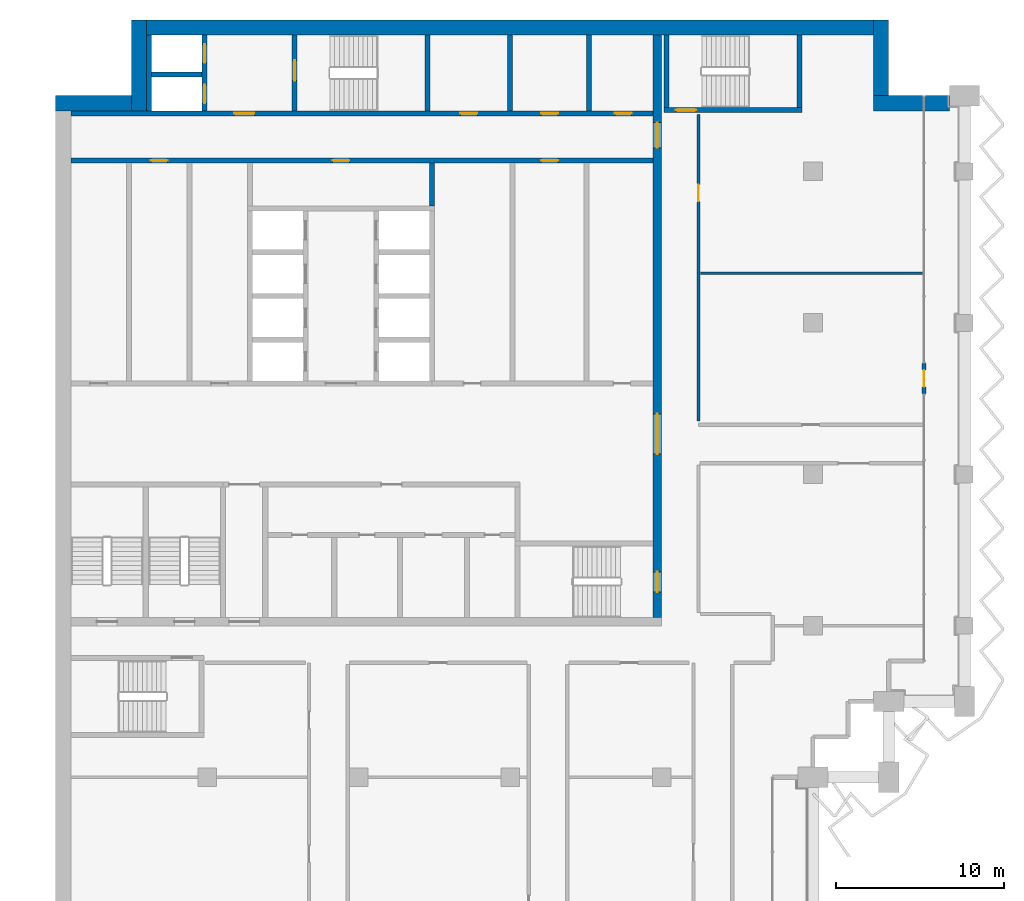
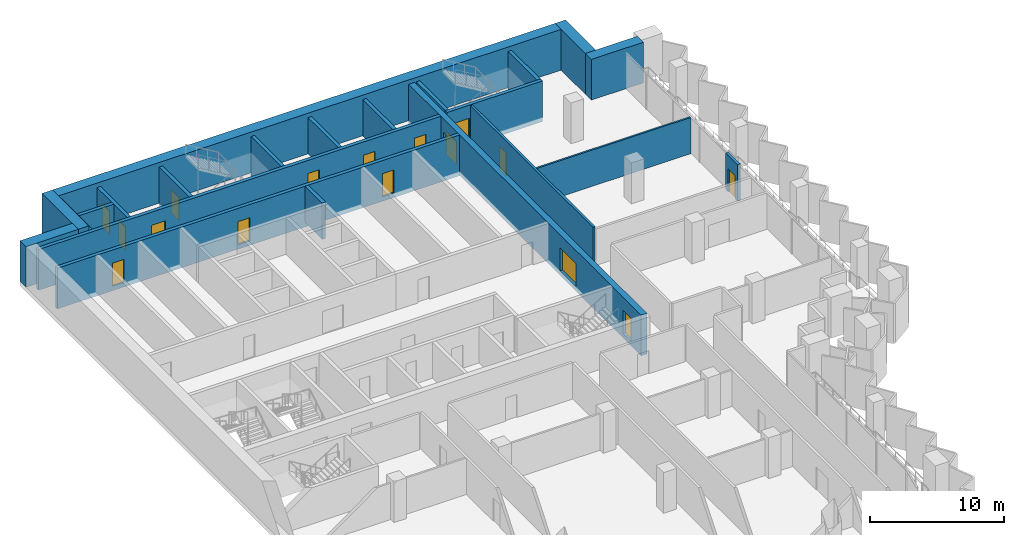
# One storey, part 12 of 19: 22 walls, 16 doors, 16 openings.
"""IFC4 building model written with IfcOpenShell, lengths in metres."""

from ifc_helpers import new_model, si_unit, direction, frame, frame_2d, origin, place, context, subcontext, project, spatial, rectangle, extrude, material, layer, layer_set, type_object, element, fill, save


model = new_model("IFC4")

# Units and contexts
model_context = context("Model", 3, precision=1e-05, world=origin(), true_north=direction((0.0, 1.0)))
body_context = subcontext(model_context, "Body", "Model", "MODEL_VIEW")
ifc_project = project(units=[si_unit("LENGTHUNIT", "METRE"), si_unit("AREAUNIT", "SQUARE_METRE"), si_unit("VOLUMEUNIT", "CUBIC_METRE"), si_unit("PLANEANGLEUNIT", "RADIAN"), si_unit("MASSUNIT", "GRAM", prefix="KILO")], contexts=[model_context])

# Site, building, storey
site_placement = place(None, origin())
site = spatial("IfcSite", under=ifc_project, at=site_placement, CompositionType="ELEMENT")
building_placement = place(site_placement, origin())
building = spatial("IfcBuilding", under=site, at=building_placement, Name="Hunhe Ridgeline Campus", CompositionType="ELEMENT")
storey_placement = place(building_placement, frame((0.0, 0.0, 216.10009765625)))
storey = spatial("IfcBuildingStorey", under=building, at=storey_placement, Name="L55", CompositionType="ELEMENT", Elevation=216.10009765625)

# Walls
ifc_material_1 = material(Name="Masonry concrete blockwork", Category="masonry")
ifc_layer_1 = layer(ifc_material_1, 0.300048828125)
ifc_layer_set_1 = layer_set([ifc_layer_1], Name="Core room partition 300 concrete block")
wall_type_1 = type_object("IfcWallType", Name="Core room partition 300 concrete block", PredefinedType="PARTITIONING", material=ifc_layer_set_1)
wall_1_placement = place(storey_placement, frame((22.35009765625, 87.949951171875, 0.0), z_axis=(0.0, 0.0, 1.0), x_axis=(0.0, 1.0, 0.0)))
element("IfcWall", 1, at=wall_1_placement, inside=storey, type_object=wall_type_1, Name="L55 core partition 44", PredefinedType="PARTITIONING", context=body_context, shape_type="SweptSolid", body=[
    extrude(rectangle(XDim=2.550048828125, YDim=0.300048828125, at=frame_2d((1.27490234375, 0.0))), origin(), (0.0, 0.0, 1.0), 3.2998046875),
])
for number, where, z_axis, x_axis, name in (
    (2, (27.0, 93.60009765625, 0.0), (0.0, 0.0, 1.0), (0.0, 1.0, 0.0), "L55 core partition 47"),
    (3, (31.699951171875, 93.60009765625, 0.0), (0.0, 0.0, 1.0), (0.0, 1.0, 0.0), "L55 core partition 52"),
):
    element("IfcWall", number, at=place(storey_placement, frame(where, z_axis=z_axis, x_axis=x_axis)), inside=storey, type_object=wall_type_1, Name=name, PredefinedType="PARTITIONING", context=body_context, shape_type="SweptSolid", body=[
        extrude(rectangle(XDim=4.5, YDim=0.300048828125, at=frame_2d((2.25, 0.0))), origin(), (0.0, 0.0, 1.0), 3.2998046875),
    ])

# Wall, openings, doors
ifc_material_2 = material(Name="Concrete C60", Category="concrete")
ifc_layer_2 = layer(ifc_material_2, 0.5)
ifc_layer_set_2 = layer_set([ifc_layer_2], Name="Core wall 500 reinforced concrete C60")
wall_type_2 = type_object("IfcWallType", Name="Core wall 500 reinforced concrete C60", PredefinedType="SOLIDWALL", material=ifc_layer_set_2)
wall_2_placement = place(storey_placement, frame((35.75, 63.5, -0.400146484375), z_axis=(0.0, 0.0, 1.0), x_axis=(0.0, 1.0, 0.0)))
wall_2 = element("IfcWall", 4, at=wall_2_placement, inside=storey, type_object=wall_type_2, Name="L55 core wall 53", PredefinedType="SOLIDWALL", context=body_context, shape_type="SweptSolid", body=[
    extrude(rectangle(XDim=34.60009765625, YDim=0.5, at=frame_2d((17.300048828125, 0.0))), origin(), (0.0, 0.0, 1.0), 3.699951171875),
])
opening_1_placement = place(wall_2_placement, frame((9.699951171875, 0.0, 0.39990234375)))
opening_1 = element("IfcOpeningElement", 5, at=opening_1_placement, cuts=wall_2, Name="Opening CD4", PredefinedType="OPENING", context=body_context, shape_type="SweptSolid", body=[
    extrude(rectangle(XDim=2.39990234375, YDim=2.10009765625, at=frame_2d((1.199951171875, 1.050048828125))), frame((0.0, 0.25, 0.0), z_axis=(0.0, -1.0, 0.0), x_axis=(1.0, 0.0, 0.0)), (0.0, 0.0, 1.0), 0.5),
])
opening_2_placement = place(wall_2_placement, frame((27.89990234375, 0.0, 0.39990234375)))
opening_2 = element("IfcOpeningElement", 6, at=opening_2_placement, cuts=wall_2, Name="Opening CD5", PredefinedType="OPENING", context=body_context, shape_type="SweptSolid", body=[
    extrude(rectangle(XDim=1.5, YDim=2.10009765625, at=frame_2d((0.75, 1.050048828125))), frame((0.0, 0.25, 0.0), z_axis=(0.0, -1.0, 0.0), x_axis=(1.0, 0.0, 0.0)), (0.0, 0.0, 1.0), 0.5),
])
opening_3_placement = place(wall_2_placement, frame((1.5, 0.0, 0.39990234375)))
opening_3 = element("IfcOpeningElement", 7, at=opening_3_placement, cuts=wall_2, Name="Opening CD15", PredefinedType="OPENING", context=body_context, shape_type="SweptSolid", body=[
    extrude(rectangle(XDim=1.199951171875, YDim=2.10009765625, at=frame_2d((0.60009765625, 1.050048828125))), frame((0.0, 0.25, 0.0), z_axis=(0.0, -1.0, 0.0), x_axis=(1.0, 0.0, 0.0)), (0.0, 0.0, 1.0), 0.5),
])
ifc_material_3 = material(Name="Anodised aluminium and glass", Category="aluminium")
door_type_1 = type_object("IfcDoorType", Name="Glazed double door 2400x2100", OperationType="DOUBLE_DOOR_SINGLE_SWING", PredefinedType="DOOR", material=ifc_material_3)
door_1_placement = place(opening_1_placement, frame((2.39990234375, 0.0, 0.0), z_axis=(0.0, 0.0, 1.0), x_axis=(-1.0, 0.0, 0.0)))
door_1 = element("IfcDoor", 8, at=door_1_placement, inside=storey, type_object=door_type_1, Name="L55 door HALL-FLOOR", OperationType="DOUBLE_DOOR_SINGLE_SWING", OverallHeight=2.10009765625, OverallWidth=2.39990234375, PredefinedType="DOOR", context=body_context, shape_type="SweptSolid", body=[
    extrude(rectangle(XDim=2.39990234375, YDim=2.10009765625, at=frame_2d((1.199951171875, 1.050048828125))), frame((0.0, 0.02490234375, 0.0), z_axis=(0.0, -1.0, 0.0), x_axis=(1.0, 0.0, 0.0)), (0.0, 0.0, 1.0), 0.050048828125),
])
fill(opening_1, door_1)
ifc_material_4 = material(Name="Hollow metal fire door leaf")
door_type_2 = type_object("IfcDoorType", Name="Stair door 1200x2100 FD60", OperationType="SINGLE_SWING_LEFT", PredefinedType="DOOR", material=ifc_material_4)
door_2_placement = place(opening_3_placement, frame((1.199951171875, 0.0, 0.0), z_axis=(0.0, 0.0, 1.0), x_axis=(-1.0, 0.0, 0.0)))
door_2 = element("IfcDoor", 9, at=door_2_placement, inside=storey, type_object=door_type_2, Name="L55 door S2-FLOOR", OperationType="SINGLE_SWING_LEFT", OverallHeight=2.10009765625, OverallWidth=1.199951171875, PredefinedType="DOOR", context=body_context, shape_type="SweptSolid", body=[
    extrude(rectangle(XDim=1.199951171875, YDim=2.10009765625, at=frame_2d((0.60009765625, 1.050048828125))), frame((0.0, 0.02490234375, 0.0), z_axis=(0.0, -1.0, 0.0), x_axis=(1.0, 0.0, 0.0)), (0.0, 0.0, 1.0), 0.050048828125),
])
fill(opening_3, door_2)
ifc_material_5 = material(Name="Solid core timber door leaf", Category="wood")
door_type_3 = type_object("IfcDoorType", Name="Timber door 1500x2100", OperationType="SINGLE_SWING_LEFT", PredefinedType="DOOR", material=ifc_material_5)
door_3_placement = place(opening_2_placement, frame((1.5, 0.0, 0.0), z_axis=(0.0, 0.0, 1.0), x_axis=(-1.0, 0.0, 0.0)))
door_3 = element("IfcDoor", 10, at=door_3_placement, inside=storey, type_object=door_type_3, Name="L55 door C1-FLOOR", OperationType="SINGLE_SWING_LEFT", OverallHeight=2.10009765625, OverallWidth=1.5, PredefinedType="DOOR", context=body_context, shape_type="SweptSolid", body=[
    extrude(rectangle(XDim=1.5, YDim=2.10009765625, at=frame_2d((0.75, 1.050048828125))), frame((0.0, 0.02490234375, 0.0), z_axis=(0.0, -1.0, 0.0), x_axis=(1.0, 0.0, 0.0)), (0.0, 0.0, 1.0), 0.050048828125),
])
fill(opening_2, door_3)

# Wall, opening, door
ifc_material_6 = material(Name="Gypsum board partition")
ifc_layer_3 = layer(ifc_material_6, 0.199951171875)
ifc_layer_set_3 = layer_set([ifc_layer_3], Name="Corridor partition 200 gypsum board on steel studs")
wall_type_3 = type_object("IfcWallType", Name="Corridor partition 200 gypsum board on steel studs", PredefinedType="PARTITIONING", material=ifc_layer_set_3)
wall_3_placement = place(storey_placement, frame((38.199951171875, 93.39599609375, 0.0), z_axis=(0.0, 0.0, 1.0), x_axis=(0.0, -1.0, 0.0)))
wall_3 = element("IfcWall", 11, at=wall_3_placement, inside=storey, type_object=wall_type_3, Name="F-L55-wall-048", PredefinedType="PARTITIONING", context=body_context, shape_type="SweptSolid", body=[
    extrude(rectangle(XDim=18.216552734375, YDim=0.199951171875, at=frame_2d((9.1083984375, 0.0))), origin(), (0.0, 0.0, 1.0), 3.2998046875),
])
opening_4_placement = place(wall_3_placement, frame((4.1806640625, 0.0, 0.0)))
opening_4 = element("IfcOpeningElement", 12, at=opening_4_placement, cuts=wall_3, Name="Opening RD1-020", PredefinedType="OPENING", context=body_context, shape_type="SweptSolid", body=[
    extrude(rectangle(XDim=1.0, YDim=2.10009765625, at=frame_2d((0.5, 1.050048828125))), frame((0.0, 0.10009765625, 0.0), z_axis=(0.0, -1.0, 0.0), x_axis=(1.0, 0.0, 0.0)), (0.0, 0.0, 1.0), 0.199951171875),
])
ifc_material_7 = material(Name="Timber door leaf", Category="wood")
door_type_4 = type_object("IfcDoorType", Name="Single fire door 1000x2100 timber FD60", OperationType="NOTDEFINED", PredefinedType="DOOR", material=ifc_material_7)
door_4_placement = place(opening_4_placement, origin())
door_4 = element("IfcDoor", 13, at=door_4_placement, inside=storey, type_object=door_type_4, Name="F-L55-door-020", OperationType="SINGLE_SWING_RIGHT", OverallHeight=2.10009765625, OverallWidth=1.0, PredefinedType="DOOR", context=body_context, shape_type="SweptSolid", body=[
    extrude(rectangle(XDim=1.0, YDim=2.10009765625, at=frame_2d((0.5, 1.050048828125))), frame((0.0, 0.02490234375, 0.0), z_axis=(0.0, -1.0, 0.0), x_axis=(1.0, 0.0, 0.0)), (0.0, 0.0, 1.0), 0.050048828125),
])
fill(opening_4, door_4)

# Wall, openings, doors
ifc_layer_4 = layer(ifc_material_2, 0.300048828125)
ifc_layer_set_4 = layer_set([ifc_layer_4], Name="Lobby wall 300 reinforced concrete C60")
wall_type_4 = type_object("IfcWallType", Name="Lobby wall 300 reinforced concrete C60", PredefinedType="SOLIDWALL", material=ifc_layer_set_4)
wall_4_placement = place(storey_placement, frame((0.89990234375, 90.64990234375, -0.400146484375), z_axis=(0.0, 0.0, 1.0), x_axis=(1.0, 0.0, 0.0)))
wall_4 = element("IfcWall", 14, at=wall_4_placement, inside=storey, type_object=wall_type_4, Name="L55 core wall 21", PredefinedType="SOLIDWALL", context=body_context, shape_type="SweptSolid", body=[
    extrude(rectangle(XDim=34.60009765625, YDim=0.300048828125, at=frame_2d((17.300048828125, 0.0))), origin(), (0.0, 0.0, 1.0), 3.699951171875),
])
opening_5_placement = place(wall_4_placement, frame((15.550048828125, 0.0, 0.39990234375)))
opening_5 = element("IfcOpeningElement", 15, at=opening_5_placement, cuts=wall_4, Name="Opening CD26", PredefinedType="OPENING", context=body_context, shape_type="SweptSolid", body=[
    extrude(rectangle(XDim=1.0, YDim=2.10009765625, at=frame_2d((0.5, 1.050048828125))), frame((0.0, 0.14990234375, 0.0), z_axis=(0.0, -1.0, 0.0), x_axis=(1.0, 0.0, 0.0)), (0.0, 0.0, 1.0), 0.300048828125),
])
opening_6_placement = place(wall_4_placement, frame((4.75, 0.0, 0.39990234375)))
opening_6 = element("IfcOpeningElement", 16, at=opening_6_placement, cuts=wall_4, Name="Opening CD40", PredefinedType="OPENING", context=body_context, shape_type="SweptSolid", body=[
    extrude(rectangle(XDim=1.0, YDim=2.10009765625, at=frame_2d((0.5, 1.050048828125))), frame((0.0, 0.14990234375, 0.0), z_axis=(0.0, -1.0, 0.0), x_axis=(1.0, 0.0, 0.0)), (0.0, 0.0, 1.0), 0.300048828125),
])
opening_7_placement = place(wall_4_placement, frame((27.949951171875, 0.0, 0.39990234375)))
opening_7 = element("IfcOpeningElement", 17, at=opening_7_placement, cuts=wall_4, Name="Opening CD33", PredefinedType="OPENING", context=body_context, shape_type="SweptSolid", body=[
    extrude(rectangle(XDim=1.0, YDim=2.10009765625, at=frame_2d((0.5, 1.050048828125))), frame((0.0, 0.14990234375, 0.0), z_axis=(0.0, -1.0, 0.0), x_axis=(1.0, 0.0, 0.0)), (0.0, 0.0, 1.0), 0.300048828125),
])
door_type_5 = type_object("IfcDoorType", Name="Timber door 1000x2100", OperationType="SINGLE_SWING_LEFT", PredefinedType="DOOR", material=ifc_material_5)
door_5_placement = place(opening_5_placement, frame((1.0, 0.0, 0.0), z_axis=(0.0, 0.0, 1.0), x_axis=(-1.0, 0.0, 0.0)))
door_5 = element("IfcDoor", 18, at=door_5_placement, inside=storey, type_object=door_type_5, Name="L55 door NR-0", OperationType="SINGLE_SWING_LEFT", OverallHeight=2.10009765625, OverallWidth=1.0, PredefinedType="DOOR", context=body_context, shape_type="SweptSolid", body=[
    extrude(rectangle(XDim=1.0, YDim=2.10009765625, at=frame_2d((0.5, 1.050048828125))), frame((0.0, 0.02490234375, 0.0), z_axis=(0.0, -1.0, 0.0), x_axis=(1.0, 0.0, 0.0)), (0.0, 0.0, 1.0), 0.050048828125),
])
fill(opening_5, door_5)
door_6_placement = place(opening_6_placement, frame((1.0, 0.0, 0.0), z_axis=(0.0, 0.0, 1.0), x_axis=(-1.0, 0.0, 0.0)))
door_6 = element("IfcDoor", 19, at=door_6_placement, inside=storey, type_object=door_type_5, Name="L55 door VD-LR1", OperationType="SINGLE_SWING_LEFT", OverallHeight=2.10009765625, OverallWidth=1.0, PredefinedType="DOOR", context=body_context, shape_type="SweptSolid", body=[
    extrude(rectangle(XDim=1.0, YDim=2.10009765625, at=frame_2d((0.5, 1.050048828125))), frame((0.0, 0.02490234375, 0.0), z_axis=(0.0, -1.0, 0.0), x_axis=(1.0, 0.0, 0.0)), (0.0, 0.0, 1.0), 0.050048828125),
])
fill(opening_6, door_6)
door_7_placement = place(opening_7_placement, frame((1.0, 0.0, 0.0), z_axis=(0.0, 0.0, 1.0), x_axis=(-1.0, 0.0, 0.0)))
door_7 = element("IfcDoor", 20, at=door_7_placement, inside=storey, type_object=door_type_5, Name="L55 door ES1", OperationType="SINGLE_SWING_LEFT", OverallHeight=2.10009765625, OverallWidth=1.0, PredefinedType="DOOR", context=body_context, shape_type="SweptSolid", body=[
    extrude(rectangle(XDim=1.0, YDim=2.10009765625, at=frame_2d((0.5, 1.050048828125))), frame((0.0, 0.02490234375, 0.0), z_axis=(0.0, -1.0, 0.0), x_axis=(1.0, 0.0, 0.0)), (0.0, 0.0, 1.0), 0.050048828125),
])
fill(opening_7, door_7)

# Wall, opening, door
ifc_material_8 = material(Name="Concrete C30", Category="concrete")
ifc_layer_5 = layer(ifc_material_8, 0.25)
ifc_layer_set_5 = layer_set([ifc_layer_5], Name="Loggia door pier wall 250 Concrete C30")
wall_type_5 = type_object("IfcWallType", Name="Loggia door pier wall 250 Concrete C30", PredefinedType="SOLIDWALL", material=ifc_layer_set_5)
wall_5_placement = place(storey_placement, frame((51.59912109375, 76.800537109375, 0.0), z_axis=(0.0, 0.0, 1.0), x_axis=(0.0, 1.0, 0.0)))
wall_5 = element("IfcWall", 21, at=wall_5_placement, inside=storey, type_object=wall_type_5, Name="Loggia door pier 3", PredefinedType="SOLIDWALL", context=body_context, shape_type="SweptSolid", body=[
    extrude(rectangle(XDim=1.800048828125, YDim=0.25, at=frame_2d((0.89990234375, 0.0))), origin(), (0.0, 0.0, 1.0), 3.2998046875),
])
opening_8_placement = place(wall_5_placement, frame((0.39990234375, 0.0, 0.0)))
opening_8 = element("IfcOpeningElement", 22, at=opening_8_placement, cuts=wall_5, Name="Opening BD406", PredefinedType="OPENING", context=body_context, shape_type="SweptSolid", body=[
    extrude(rectangle(XDim=1.0, YDim=2.10009765625, at=frame_2d((0.5, 1.050048828125))), frame((0.0, 0.125, 0.0), z_axis=(0.0, -1.0, 0.0), x_axis=(1.0, 0.0, 0.0)), (0.0, 0.0, 1.0), 0.25),
])
ifc_material_9 = material(Name="Aluminium 6063", Category="aluminium")
door_type_6 = type_object("IfcDoorType", Name="Loggia glazed door 1000x2100", OperationType="NOTDEFINED", PredefinedType="DOOR", material=ifc_material_9)
door_8_placement = place(opening_8_placement, frame((1.0, 0.0, 0.0), z_axis=(0.0, 0.0, 1.0), x_axis=(-1.0, 0.0, 0.0)))
door_8 = element("IfcDoor", 23, at=door_8_placement, inside=storey, type_object=door_type_6, Name="Loggia door BD406", OperationType="SINGLE_SWING_LEFT", OverallHeight=2.10009765625, OverallWidth=1.0, PredefinedType="DOOR", context=body_context, shape_type="SweptSolid", body=[
    extrude(rectangle(XDim=1.0, YDim=2.10009765625, at=frame_2d((0.5, 1.050048828125))), frame((0.0, 0.02490234375, 0.0), z_axis=(0.0, -1.0, 0.0), x_axis=(1.0, 0.0, 0.0)), (0.0, 0.0, 1.0), 0.050048828125),
])
fill(opening_8, door_8)

# Wall
ifc_layer_6 = layer(ifc_material_6, 0.14990234375)
ifc_layer_set_6 = layer_set([ifc_layer_6], Name="Room partition 150 gypsum board on steel studs")
wall_type_6 = type_object("IfcWallType", Name="Room partition 150 gypsum board on steel studs", PredefinedType="PARTITIONING", material=ifc_layer_set_6)
wall_6_placement = place(storey_placement, frame((38.300048828125, 83.949951171875, 0.0), z_axis=(0.0, 0.0, 1.0), x_axis=(1.0, 0.0, 0.0)))
element("IfcWall", 24, at=wall_6_placement, inside=storey, type_object=wall_type_6, Name="F-L55-wall-037", PredefinedType="PARTITIONING", context=body_context, shape_type="SweptSolid", body=[
    extrude(rectangle(XDim=13.244873046875, YDim=0.14990234375, at=frame_2d((6.62255859375, 0.0))), origin(), (0.0, 0.0, 1.0), 3.2998046875),
])

# Wall, openings, doors
ifc_layer_7 = layer(ifc_material_2, 0.300048828125)
ifc_layer_set_7 = layer_set([ifc_layer_7], Name="Shaft wall 300 reinforced concrete C60")
wall_type_7 = type_object("IfcWallType", Name="Shaft wall 300 reinforced concrete C60", PredefinedType="SOLIDWALL", material=ifc_layer_set_7)
wall_7_placement = place(storey_placement, frame((0.89990234375, 93.449951171875, -0.400146484375), z_axis=(0.0, 0.0, 1.0), x_axis=(1.0, 0.0, 0.0)))
wall_7 = element("IfcWall", 25, at=wall_7_placement, inside=storey, type_object=wall_type_7, Name="L55 core wall 22", PredefinedType="SOLIDWALL", context=body_context, shape_type="SweptSolid", body=[
    extrude(rectangle(XDim=34.60009765625, YDim=0.300048828125, at=frame_2d((17.300048828125, 0.0))), origin(), (0.0, 0.0, 1.0), 3.699951171875),
])
opening_9_placement = place(wall_7_placement, frame((9.699951171875, 0.0, 0.39990234375)))
opening_9 = element("IfcOpeningElement", 26, at=opening_9_placement, cuts=wall_7, Name="Opening CD3", PredefinedType="OPENING", context=body_context, shape_type="SweptSolid", body=[
    extrude(rectangle(XDim=1.199951171875, YDim=2.10009765625, at=frame_2d((0.60009765625, 1.050048828125))), frame((0.0, 0.14990234375, 0.0), z_axis=(0.0, -1.0, 0.0), x_axis=(1.0, 0.0, 0.0)), (0.0, 0.0, 1.0), 0.300048828125),
])
opening_10_placement = place(wall_7_placement, frame((23.14990234375, 0.0, 0.39990234375)))
opening_10 = element("IfcOpeningElement", 27, at=opening_10_placement, cuts=wall_7, Name="Opening CD34", PredefinedType="OPENING", context=body_context, shape_type="SweptSolid", body=[
    extrude(rectangle(XDim=1.0, YDim=2.10009765625, at=frame_2d((0.5, 1.050048828125))), frame((0.0, 0.14990234375, 0.0), z_axis=(0.0, -1.0, 0.0), x_axis=(1.0, 0.0, 0.0)), (0.0, 0.0, 1.0), 0.300048828125),
])
opening_11_placement = place(wall_7_placement, frame((27.949951171875, 0.0, 0.39990234375)))
opening_11 = element("IfcOpeningElement", 28, at=opening_11_placement, cuts=wall_7, Name="Opening CD35", PredefinedType="OPENING", context=body_context, shape_type="SweptSolid", body=[
    extrude(rectangle(XDim=1.0, YDim=2.10009765625, at=frame_2d((0.5, 1.050048828125))), frame((0.0, 0.14990234375, 0.0), z_axis=(0.0, -1.0, 0.0), x_axis=(1.0, 0.0, 0.0)), (0.0, 0.0, 1.0), 0.300048828125),
])
opening_12_placement = place(wall_7_placement, frame((32.324951171875, 0.0, 0.39990234375)))
opening_12 = element("IfcOpeningElement", 29, at=opening_12_placement, cuts=wall_7, Name="Opening CD36", PredefinedType="OPENING", context=body_context, shape_type="SweptSolid", body=[
    extrude(rectangle(XDim=1.0, YDim=2.10009765625, at=frame_2d((0.5, 1.050048828125))), frame((0.0, 0.14990234375, 0.0), z_axis=(0.0, -1.0, 0.0), x_axis=(1.0, 0.0, 0.0)), (0.0, 0.0, 1.0), 0.300048828125),
])
door_type_7 = type_object("IfcDoorType", Name="Lobby door 1200x2100 FD60", OperationType="SINGLE_SWING_LEFT", PredefinedType="DOOR", material=ifc_material_4)
door_9_placement = place(opening_9_placement, frame((1.199951171875, 0.0, 0.0), z_axis=(0.0, 0.0, 1.0), x_axis=(-1.0, 0.0, 0.0)))
door_9 = element("IfcDoor", 30, at=door_9_placement, inside=storey, type_object=door_type_7, Name="L55 door FF-C1", OperationType="SINGLE_SWING_RIGHT", OverallHeight=2.10009765625, OverallWidth=1.199951171875, PredefinedType="DOOR", context=body_context, shape_type="SweptSolid", body=[
    extrude(rectangle(XDim=1.199951171875, YDim=2.10009765625, at=frame_2d((0.60009765625, 1.050048828125))), frame((0.0, 0.02490234375, 0.0), z_axis=(0.0, -1.0, 0.0), x_axis=(1.0, 0.0, 0.0)), (0.0, 0.0, 1.0), 0.050048828125),
])
fill(opening_9, door_9)
door_10_placement = place(opening_10_placement, origin())
door_10 = element("IfcDoor", 31, at=door_10_placement, inside=storey, type_object=door_type_5, Name="L55 door NB0", OperationType="SINGLE_SWING_RIGHT", OverallHeight=2.10009765625, OverallWidth=1.0, PredefinedType="DOOR", context=body_context, shape_type="SweptSolid", body=[
    extrude(rectangle(XDim=1.0, YDim=2.10009765625, at=frame_2d((0.5, 1.050048828125))), frame((0.0, 0.02490234375, 0.0), z_axis=(0.0, -1.0, 0.0), x_axis=(1.0, 0.0, 0.0)), (0.0, 0.0, 1.0), 0.050048828125),
])
fill(opening_10, door_10)
door_11_placement = place(opening_11_placement, origin())
door_11 = element("IfcDoor", 32, at=door_11_placement, inside=storey, type_object=door_type_5, Name="L55 door NB1", OperationType="SINGLE_SWING_LEFT", OverallHeight=2.10009765625, OverallWidth=1.0, PredefinedType="DOOR", context=body_context, shape_type="SweptSolid", body=[
    extrude(rectangle(XDim=1.0, YDim=2.10009765625, at=frame_2d((0.5, 1.050048828125))), frame((0.0, 0.02490234375, 0.0), z_axis=(0.0, -1.0, 0.0), x_axis=(1.0, 0.0, 0.0)), (0.0, 0.0, 1.0), 0.050048828125),
])
fill(opening_11, door_11)
door_12_placement = place(opening_12_placement, origin())
door_12 = element("IfcDoor", 33, at=door_12_placement, inside=storey, type_object=door_type_5, Name="L55 door NB2", OperationType="SINGLE_SWING_RIGHT", OverallHeight=2.10009765625, OverallWidth=1.0, PredefinedType="DOOR", context=body_context, shape_type="SweptSolid", body=[
    extrude(rectangle(XDim=1.0, YDim=2.10009765625, at=frame_2d((0.5, 1.050048828125))), frame((0.0, 0.02490234375, 0.0), z_axis=(0.0, -1.0, 0.0), x_axis=(1.0, 0.0, 0.0)), (0.0, 0.0, 1.0), 0.050048828125),
])
fill(opening_12, door_12)

# Walls
wall_8_placement = place(storey_placement, frame((5.699951171875, 95.75, -0.400146484375), z_axis=(0.0, 0.0, 1.0), x_axis=(1.0, 0.0, 0.0)))
element("IfcWall", 34, at=wall_8_placement, inside=storey, type_object=wall_type_7, Name="L55 core wall 24", PredefinedType="SOLIDWALL", context=body_context, shape_type="SweptSolid", body=[
    extrude(rectangle(XDim=3.0, YDim=0.300048828125, at=frame_2d((1.5, 0.0))), origin(), (0.0, 0.0, 1.0), 3.699951171875),
])
wall_9_placement = place(storey_placement, frame((5.550048828125, 93.60009765625, -0.400146484375), z_axis=(0.0, 0.0, 1.0), x_axis=(0.0, 1.0, 0.0)))
element("IfcWall", 35, at=wall_9_placement, inside=storey, type_object=wall_type_7, Name="L55 core wall 27", PredefinedType="SOLIDWALL", context=body_context, shape_type="SweptSolid", body=[
    extrude(rectangle(XDim=4.5, YDim=0.300048828125, at=frame_2d((2.25, 0.0))), origin(), (0.0, 0.0, 1.0), 3.699951171875),
])

# Wall, openings, doors
wall_10_placement = place(storey_placement, frame((8.85009765625, 93.60009765625, -0.400146484375), z_axis=(0.0, 0.0, 1.0), x_axis=(0.0, 1.0, 0.0)))
wall_10 = element("IfcWall", 36, at=wall_10_placement, inside=storey, type_object=wall_type_7, Name="L55 core wall 31", PredefinedType="SOLIDWALL", context=body_context, shape_type="SweptSolid", body=[
    extrude(rectangle(XDim=4.5, YDim=0.300048828125, at=frame_2d((2.25, 0.0))), origin(), (0.0, 0.0, 1.0), 3.699951171875),
])
opening_13_placement = place(wall_10_placement, frame((0.449951171875, 0.0, 0.39990234375)))
opening_13 = element("IfcOpeningElement", 37, at=opening_13_placement, cuts=wall_10, Name="Opening LD-FF1", PredefinedType="OPENING", context=body_context, shape_type="SweptSolid", body=[
    extrude(rectangle(XDim=1.10009765625, YDim=2.10009765625, at=frame_2d((0.550048828125, 1.050048828125))), frame((0.0, 0.14990234375, 0.0), z_axis=(0.0, -1.0, 0.0), x_axis=(1.0, 0.0, 0.0)), (0.0, 0.0, 1.0), 0.300048828125),
])
opening_14_placement = place(wall_10_placement, frame((2.85009765625, 0.0, 0.39990234375)))
opening_14 = element("IfcOpeningElement", 38, at=opening_14_placement, cuts=wall_10, Name="Opening LD-FF2", PredefinedType="OPENING", context=body_context, shape_type="SweptSolid", body=[
    extrude(rectangle(XDim=1.10009765625, YDim=2.10009765625, at=frame_2d((0.550048828125, 1.050048828125))), frame((0.0, 0.14990234375, 0.0), z_axis=(0.0, -1.0, 0.0), x_axis=(1.0, 0.0, 0.0)), (0.0, 0.0, 1.0), 0.300048828125),
])
ifc_material_10 = material(Name="Stainless steel sliding leaves", Category="steel")
door_type_8 = type_object("IfcDoorType", Name="Landing door 1100x2100 FD120", OperationType="SLIDING_TO_LEFT", PredefinedType="DOOR", material=ifc_material_10)
door_13_placement = place(opening_13_placement, origin())
door_13 = element("IfcDoor", 39, at=door_13_placement, inside=storey, type_object=door_type_8, Name="L55 landing door FF1", OperationType="SLIDING_TO_RIGHT", OverallHeight=2.10009765625, OverallWidth=1.10009765625, PredefinedType="DOOR", context=body_context, shape_type="SweptSolid", body=[
    extrude(rectangle(XDim=1.10009765625, YDim=2.10009765625, at=frame_2d((0.550048828125, 1.050048828125))), frame((0.0, 0.02490234375, 0.0), z_axis=(0.0, -1.0, 0.0), x_axis=(1.0, 0.0, 0.0)), (0.0, 0.0, 1.0), 0.050048828125),
])
fill(opening_13, door_13)
door_14_placement = place(opening_14_placement, origin())
door_14 = element("IfcDoor", 40, at=door_14_placement, inside=storey, type_object=door_type_8, Name="L55 landing door FF2", OperationType="SLIDING_TO_LEFT", OverallHeight=2.10009765625, OverallWidth=1.10009765625, PredefinedType="DOOR", context=body_context, shape_type="SweptSolid", body=[
    extrude(rectangle(XDim=1.10009765625, YDim=2.10009765625, at=frame_2d((0.550048828125, 1.050048828125))), frame((0.0, 0.02490234375, 0.0), z_axis=(0.0, -1.0, 0.0), x_axis=(1.0, 0.0, 0.0)), (0.0, 0.0, 1.0), 0.050048828125),
])
fill(opening_14, door_14)

# Walls
ifc_layer_8 = layer(ifc_material_2, 0.89990234375)
ifc_layer_set_8 = layer_set([ifc_layer_8], Name="Spine wall 900 Concrete C60")
wall_type_8 = type_object("IfcWallType", Name="Spine wall 900 Concrete C60", PredefinedType="SHEAR", material=ifc_layer_set_8)
wall_11_placement = place(storey_placement, frame((53.10009765625, 94.050048828125, 0.0), z_axis=(0.0, 0.0, 1.0), x_axis=(-1.0, 0.0, 0.0)))
element("IfcWall", 41, at=wall_11_placement, inside=storey, type_object=wall_type_8, Name="Spine wall SW3-2 L55", PredefinedType="SHEAR", context=body_context, shape_type="SweptSolid", body=[
    extrude(rectangle(XDim=4.5, YDim=0.89990234375, at=frame_2d((2.25, 0.0))), origin(), (0.0, 0.0, 1.0), 3.699951171875),
])
wall_12_placement = place(storey_placement, frame((49.050048828125, 93.60009765625, 0.0), z_axis=(0.0, 0.0, 1.0), x_axis=(0.0, 1.0, 0.0)))
element("IfcWall", 42, at=wall_12_placement, inside=storey, type_object=wall_type_8, Name="Spine wall SW3-3 L55", PredefinedType="SHEAR", context=body_context, shape_type="SweptSolid", body=[
    extrude(rectangle(XDim=5.39990234375, YDim=0.89990234375, at=frame_2d((2.699951171875, 0.0))), origin(), (0.0, 0.0, 1.0), 3.699951171875),
])
wall_13_placement = place(storey_placement, frame((49.5, 98.550048828125, 0.0), z_axis=(0.0, 0.0, 1.0), x_axis=(-1.0, 0.0, 0.0)))
element("IfcWall", 43, at=wall_13_placement, inside=storey, type_object=wall_type_8, Name="Spine wall SW3-4 L55", PredefinedType="SHEAR", context=body_context, shape_type="SweptSolid", body=[
    extrude(rectangle(XDim=45.0, YDim=0.89990234375, at=frame_2d((22.5, 0.0))), origin(), (0.0, 0.0, 1.0), 3.699951171875),
])
for number, where, z_axis, x_axis, name in (
    (44, (4.949951171875, 99.0, 0.0), (0.0, 0.0, 1.0), (0.0, -1.0, 0.0), "Spine wall SW3-5 L55"),
    (45, (5.400146484375, 94.050048828125, 0.0), (0.0, 0.0, 1.0), (-1.0, 0.0, 0.0), "Spine wall SW3-6 L55"),
):
    element("IfcWall", number, at=place(storey_placement, frame(where, z_axis=z_axis, x_axis=x_axis)), inside=storey, type_object=wall_type_8, Name=name, PredefinedType="SHEAR", context=body_context, shape_type="SweptSolid", body=[
        extrude(rectangle(XDim=5.400146484375, YDim=0.89990234375, at=frame_2d((2.7001953125, 0.0))), origin(), (0.0, 0.0, 1.0), 3.699951171875),
    ])

# Wall, opening, door
ifc_layer_9 = layer(ifc_material_2, 0.300048828125)
ifc_layer_set_9 = layer_set([ifc_layer_9], Name="Stair wall 300 reinforced concrete C60")
wall_type_9 = type_object("IfcWallType", Name="Stair wall 300 reinforced concrete C60", PredefinedType="SOLIDWALL", material=ifc_layer_set_9)
wall_14_placement = place(storey_placement, frame((36.14990234375, 93.64990234375, -0.400146484375), z_axis=(0.0, 0.0, 1.0), x_axis=(1.0, 0.0, 0.0)))
wall_14 = element("IfcWall", 46, at=wall_14_placement, inside=storey, type_object=wall_type_9, Name="L55 core wall 23", PredefinedType="SOLIDWALL", context=body_context, shape_type="SweptSolid", body=[
    extrude(rectangle(XDim=8.2001953125, YDim=0.300048828125, at=frame_2d((4.10009765625, 0.0))), origin(), (0.0, 0.0, 1.0), 3.699951171875),
])
opening_15_placement = place(wall_14_placement, frame((0.699951171875, 0.0, 0.39990234375)))
opening_15 = element("IfcOpeningElement", 47, at=opening_15_placement, cuts=wall_14, Name="Opening CD17", PredefinedType="OPENING", context=body_context, shape_type="SweptSolid", body=[
    extrude(rectangle(XDim=1.199951171875, YDim=2.10009765625, at=frame_2d((0.60009765625, 1.050048828125))), frame((0.0, 0.14990234375, 0.0), z_axis=(0.0, -1.0, 0.0), x_axis=(1.0, 0.0, 0.0)), (0.0, 0.0, 1.0), 0.300048828125),
])
door_15_placement = place(opening_15_placement, frame((1.199951171875, 0.0, 0.0), z_axis=(0.0, 0.0, 1.0), x_axis=(-1.0, 0.0, 0.0)))
door_15 = element("IfcDoor", 48, at=door_15_placement, inside=storey, type_object=door_type_2, Name="L55 door E1", OperationType="SINGLE_SWING_LEFT", OverallHeight=2.10009765625, OverallWidth=1.199951171875, PredefinedType="DOOR", context=body_context, shape_type="SweptSolid", body=[
    extrude(rectangle(XDim=1.199951171875, YDim=2.10009765625, at=frame_2d((0.60009765625, 1.050048828125))), frame((0.0, 0.02490234375, 0.0), z_axis=(0.0, -1.0, 0.0), x_axis=(1.0, 0.0, 0.0)), (0.0, 0.0, 1.0), 0.050048828125),
])
fill(opening_15, door_15)

wall_15_placement = place(storey_placement, frame((14.199951171875, 93.60009765625, -0.400146484375), z_axis=(0.0, 0.0, 1.0), x_axis=(0.0, 1.0, 0.0)))
wall_15 = element("IfcWall", 49, at=wall_15_placement, inside=storey, type_object=wall_type_9, Name="L55 core wall 36", PredefinedType="SOLIDWALL", context=body_context, shape_type="SweptSolid", body=[
    extrude(rectangle(XDim=4.5, YDim=0.300048828125, at=frame_2d((2.25, 0.0))), origin(), (0.0, 0.0, 1.0), 3.699951171875),
])
opening_16_placement = place(wall_15_placement, frame((1.800048828125, 0.0, 0.39990234375)))
opening_16 = element("IfcOpeningElement", 50, at=opening_16_placement, cuts=wall_15, Name="Opening CD16", PredefinedType="OPENING", context=body_context, shape_type="SweptSolid", body=[
    extrude(rectangle(XDim=1.199951171875, YDim=2.10009765625, at=frame_2d((0.60009765625, 1.050048828125))), frame((0.0, 0.14990234375, 0.0), z_axis=(0.0, -1.0, 0.0), x_axis=(1.0, 0.0, 0.0)), (0.0, 0.0, 1.0), 0.300048828125),
])
door_16_placement = place(opening_16_placement, origin())
door_16 = element("IfcDoor", 51, at=door_16_placement, inside=storey, type_object=door_type_2, Name="L55 door S1-FF", OperationType="SINGLE_SWING_RIGHT", OverallHeight=2.10009765625, OverallWidth=1.199951171875, PredefinedType="DOOR", context=body_context, shape_type="SweptSolid", body=[
    extrude(rectangle(XDim=1.199951171875, YDim=2.10009765625, at=frame_2d((0.60009765625, 1.050048828125))), frame((0.0, 0.02490234375, 0.0), z_axis=(0.0, -1.0, 0.0), x_axis=(1.0, 0.0, 0.0)), (0.0, 0.0, 1.0), 0.050048828125),
])
fill(opening_16, door_16)

# Walls
wall_16_placement = place(storey_placement, frame((22.10009765625, 93.60009765625, -0.400146484375), z_axis=(0.0, 0.0, 1.0), x_axis=(0.0, 1.0, 0.0)))
element("IfcWall", 52, at=wall_16_placement, inside=storey, type_object=wall_type_9, Name="L55 core wall 42", PredefinedType="SOLIDWALL", context=body_context, shape_type="SweptSolid", body=[
    extrude(rectangle(XDim=4.5, YDim=0.300048828125, at=frame_2d((2.25, 0.0))), origin(), (0.0, 0.0, 1.0), 3.699951171875),
])
for number, where, z_axis, x_axis, name in (
    (53, (36.300048828125, 93.800048828125, -0.400146484375), (0.0, 0.0, 1.0), (0.0, 1.0, 0.0), "L55 core wall 54"),
    (54, (44.199951171875, 93.800048828125, -0.400146484375), (0.0, 0.0, 1.0), (0.0, 1.0, 0.0), "L55 core wall 55"),
):
    element("IfcWall", number, at=place(storey_placement, frame(where, z_axis=z_axis, x_axis=x_axis)), inside=storey, type_object=wall_type_9, Name=name, PredefinedType="SOLIDWALL", context=body_context, shape_type="SweptSolid", body=[
        extrude(rectangle(XDim=4.300048828125, YDim=0.300048828125, at=frame_2d((2.14990234375, 0.0))), origin(), (0.0, 0.0, 1.0), 3.699951171875),
    ])

save(model, "model.ifc")
